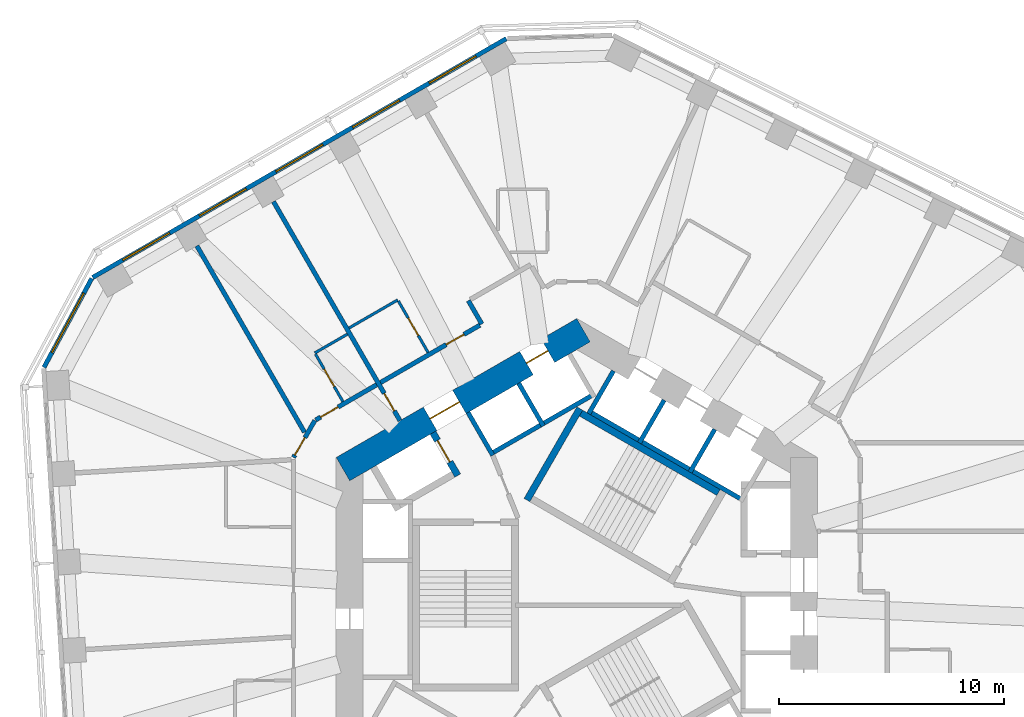
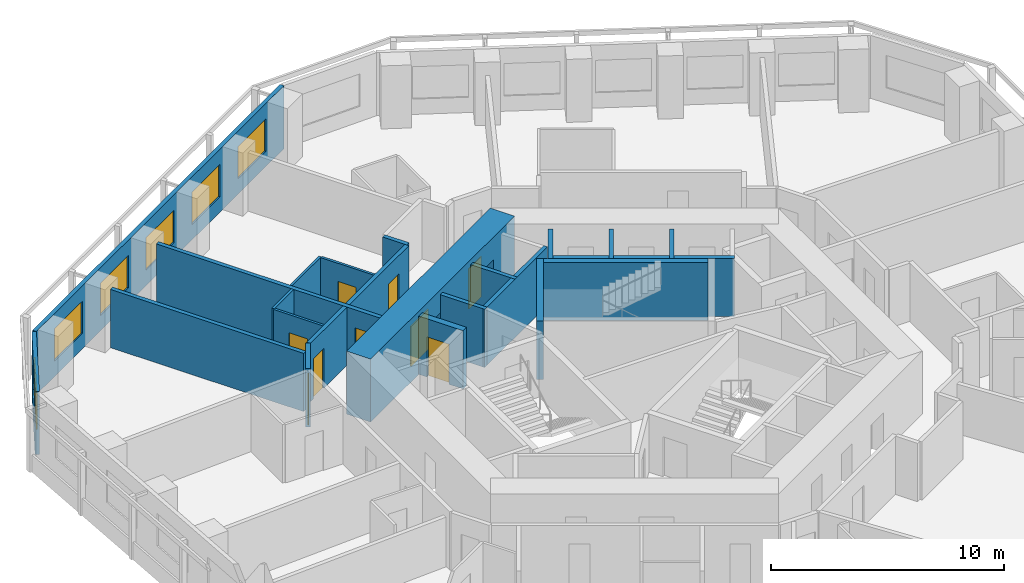
# One storey, part 7 of 11: 23 walls, 9 doors, 6 windows, 15 openings.
"""IFC4 building model written with IfcOpenShell, lengths in metres."""

from ifc_helpers import new_model, si_unit, direction, frame, frame_2d, origin, place, context, subcontext, project, spatial, rectangle, extrude, material, layer, layer_set, type_object, element, fill, save


model = new_model("IFC4")

# Units and contexts
model_context = context("Model", 3, precision=1e-05, world=origin(), true_north=direction((0.0, 1.0)))
body_context = subcontext(model_context, "Body", "Model", "MODEL_VIEW")
ifc_project = project(units=[si_unit("LENGTHUNIT", "METRE"), si_unit("AREAUNIT", "SQUARE_METRE"), si_unit("VOLUMEUNIT", "CUBIC_METRE"), si_unit("PLANEANGLEUNIT", "RADIAN"), si_unit("MASSUNIT", "GRAM", prefix="KILO")], contexts=[model_context])

# Site, building, storey
site_placement = place(None, origin())
site = spatial("IfcSite", under=ifc_project, at=site_placement, CompositionType="ELEMENT")
building_placement = place(site_placement, origin())
building = spatial("IfcBuilding", under=site, at=building_placement, Name="Vanh Sen Convention Tower", CompositionType="ELEMENT")
storey_placement = place(building_placement, frame((0.0, 0.0, 96.800048828125)))
storey = spatial("IfcBuildingStorey", under=building, at=storey_placement, Name="L22", CompositionType="ELEMENT", Elevation=96.800048828125)

# Wall
ifc_material_1 = material(Name="Moisture-resistant gypsum board on steel studs", Category="steel")
ifc_layer_1 = layer(ifc_material_1, 0.1201171875)
ifc_layer_set_1 = layer_set([ifc_layer_1], Name="Moisture-resistant gypsum board on steel studs")
wall_type_1 = type_object("IfcWallType", Name="Bathroom partition 120", PredefinedType="PARTITIONING", material=ifc_layer_set_1)
wall_1_placement = place(storey_placement, frame((-11.65087890625, 10.82470703125, 0.0), z_axis=(0.0, 0.0, 1.0), x_axis=(0.865998477143, 0.500046635412, 0.0)))
element("IfcWall", 1, at=wall_1_placement, inside=storey, type_object=wall_type_1, Name="Bathroom partition 120", PredefinedType="PARTITIONING", context=body_context, shape_type="SweptSolid", body=[
    extrude(rectangle(XDim=1.673095703125, YDim=0.1201171875, at=frame_2d((0.83642578125, 0.0))), origin(), (0.0, 0.0, 1.0), 3.050048828125),
])

# Wall, opening, door
wall_2_placement = place(storey_placement, frame((-10.40087890625, 8.65966796875, 0.0), z_axis=(0.0, 0.0, 1.0), x_axis=(-0.500077547548, 0.865980627057, 0.0)))
wall_2 = element("IfcWall", 2, at=wall_2_placement, inside=storey, type_object=wall_type_1, Name="Bathroom partition 120", PredefinedType="PARTITIONING", context=body_context, shape_type="SweptSolid", body=[
    extrude(rectangle(XDim=2.43994140625, YDim=0.1201171875, at=frame_2d((1.219970703125, 0.0))), origin(), (0.0, 0.0, 1.0), 3.050048828125),
])
opening_1_placement = place(wall_2_placement, frame((0.77001953125, 0.0, 0.0)))
opening_1 = element("IfcOpeningElement", 3, at=opening_1_placement, cuts=wall_2, Name="Opening D22112", PredefinedType="OPENING", context=body_context, shape_type="SweptSolid", body=[
    extrude(rectangle(XDim=0.89990234375, YDim=2.10009765625, at=frame_2d((0.449951171875, 1.050048828125))), frame((0.0, 0.070068359375, 0.0), z_axis=(0.0, -1.0, 0.0), x_axis=(1.0, 0.0, 0.0)), (0.0, 0.0, 1.0), 0.14013671875),
])
ifc_material_2 = material(Name="Laminate door in steel frame", Category="steel")
door_type_1 = type_object("IfcDoorType", Name="En-suite door 900", OperationType="SINGLE_SWING_LEFT", PredefinedType="DOOR", material=ifc_material_2)
door_1_placement = place(opening_1_placement, origin())
door_1 = element("IfcDoor", 4, at=door_1_placement, inside=storey, type_object=door_type_1, Name="En-suite door D22112", OperationType="SINGLE_SWING_LEFT", OverallHeight=2.10009765625, OverallWidth=0.89990234375, PredefinedType="DOOR", context=body_context, shape_type="SweptSolid", body=[
    extrude(rectangle(XDim=0.89990234375, YDim=2.10009765625, at=frame_2d((0.449951171875, 1.050048828125))), frame((0.0, 0.02490234375, 0.0), z_axis=(0.0, -1.0, 0.0), x_axis=(1.0, 0.0, 0.0)), (0.0, 0.0, 1.0), 0.050048828125),
])
fill(opening_1, door_1)

# Wall
wall_3_placement = place(storey_placement, frame((-10.12890625, 11.9345703125, 0.0), z_axis=(0.0, 0.0, 1.0), x_axis=(0.866047370643, 0.499961950354, 0.0)))
element("IfcWall", 5, at=wall_3_placement, inside=storey, type_object=wall_type_1, Name="Bathroom partition 120", PredefinedType="PARTITIONING", context=body_context, shape_type="SweptSolid", body=[
    extrude(rectangle(XDim=2.500244140625, YDim=0.1201171875, at=frame_2d((1.25, 0.0))), origin(), (0.0, 0.0, 1.0), 3.050048828125),
])

# Wall, opening, door
wall_4_placement = place(storey_placement, frame((-7.93359375, 13.132568359375, 0.0), z_axis=(0.0, 0.0, 1.0), x_axis=(0.499938597367, -0.866060851709, 0.0)))
wall_4 = element("IfcWall", 6, at=wall_4_placement, inside=storey, type_object=wall_type_1, Name="Bathroom partition 120", PredefinedType="PARTITIONING", context=body_context, shape_type="SweptSolid", body=[
    extrude(rectangle(XDim=2.639892578125, YDim=0.1201171875, at=frame_2d((1.31982421875, 0.0))), origin(), (0.0, 0.0, 1.0), 3.050048828125),
])
opening_2_placement = place(wall_4_placement, frame((0.8701171875, 0.0, 0.0)))
opening_2 = element("IfcOpeningElement", 7, at=opening_2_placement, cuts=wall_4, Name="Opening D22110", PredefinedType="OPENING", context=body_context, shape_type="SweptSolid", body=[
    extrude(rectangle(XDim=0.89990234375, YDim=2.10009765625, at=frame_2d((0.449951171875, 1.050048828125))), frame((0.0, 0.070068359375, 0.0), z_axis=(0.0, -1.0, 0.0), x_axis=(1.0, 0.0, 0.0)), (0.0, 0.0, 1.0), 0.14013671875),
])
door_2_placement = place(opening_2_placement, origin())
door_2 = element("IfcDoor", 8, at=door_2_placement, inside=storey, type_object=door_type_1, Name="En-suite door D22110", OperationType="SINGLE_SWING_LEFT", OverallHeight=2.10009765625, OverallWidth=0.89990234375, PredefinedType="DOOR", context=body_context, shape_type="SweptSolid", body=[
    extrude(rectangle(XDim=0.89990234375, YDim=2.10009765625, at=frame_2d((0.449951171875, 1.050048828125))), frame((0.0, 0.02490234375, 0.0), z_axis=(0.0, -1.0, 0.0), x_axis=(1.0, 0.0, 0.0)), (0.0, 0.0, 1.0), 0.050048828125),
])
fill(opening_2, door_2)

# Wall, openings, doors
ifc_material_3 = material(Name="Concrete C80/95", Category="concrete")
ifc_layer_2 = layer(ifc_material_3, 1.199951171875)
ifc_layer_set_2 = layer_set([ifc_layer_2], Name="Concrete C80/95")
wall_type_2 = type_object("IfcWallType", Name="Core outer wall 1200 C80/95", PredefinedType="SHEAR", material=ifc_layer_set_2)
wall_5_placement = place(storey_placement, frame((0.300048828125, 11.835693359375, 0.0), z_axis=(0.0, 0.0, 1.0), x_axis=(-0.866021384402, -0.500006961711, 0.0)))
wall_5 = element("IfcWall", 9, at=wall_5_placement, inside=storey, type_object=wall_type_2, Name="Core wall face NW L22", PredefinedType="SHEAR", context=body_context, shape_type="SweptSolid", body=[
    extrude(rectangle(XDim=12.355224609375, YDim=1.199951171875, at=frame_2d((6.177734375, 0.0))), origin(), (0.0, 0.0, 1.0), 3.300048828125),
])
opening_3_placement = place(wall_5_placement, frame((6.377685546875, 0.0, 0.0)))
opening_3 = element("IfcOpeningElement", 10, at=opening_3_placement, cuts=wall_5, Name="Opening D22002", PredefinedType="OPENING", context=body_context, shape_type="SweptSolid", body=[
    extrude(rectangle(XDim=1.5, YDim=2.10009765625, at=frame_2d((0.75, 1.050048828125))), frame((0.0, 0.60986328125, 0.0), z_axis=(0.0, -1.0, 0.0), x_axis=(1.0, 0.0, 0.0)), (0.0, 0.0, 1.0), 1.219970703125),
])
opening_4_placement = place(wall_5_placement, frame((1.82763671875, 0.0, 0.0)))
opening_4 = element("IfcOpeningElement", 11, at=opening_4_placement, cuts=wall_5, Name="Opening LD-LR6", PredefinedType="OPENING", context=body_context, shape_type="SweptSolid", body=[
    extrude(rectangle(XDim=1.10009765625, YDim=2.10009765625, at=frame_2d((0.550048828125, 1.050048828125))), frame((0.0, 0.60986328125, 0.0), z_axis=(0.0, -1.0, 0.0), x_axis=(1.0, 0.0, 0.0)), (0.0, 0.0, 1.0), 1.219970703125),
])
ifc_material_4 = material(Name="Stainless steel", Category="steel")
door_type_2 = type_object("IfcDoorType", Name="Lift landing door 1100", OperationType="DOUBLE_DOOR_SLIDING", PredefinedType="DOOR", material=ifc_material_4)
door_3_placement = place(opening_4_placement, origin())
door_3 = element("IfcDoor", 12, at=door_3_placement, inside=storey, type_object=door_type_2, Name="Lift LR6 landing door LD-LR6", OperationType="DOUBLE_DOOR_SLIDING", OverallHeight=2.10009765625, OverallWidth=1.10009765625, PredefinedType="DOOR", context=body_context, shape_type="SweptSolid", body=[
    extrude(rectangle(XDim=1.10009765625, YDim=2.10009765625, at=frame_2d((0.550048828125, 1.050048828125))), frame((0.0, 0.02490234375, 0.0), z_axis=(0.0, -1.0, 0.0), x_axis=(1.0, 0.0, 0.0)), (0.0, 0.0, 1.0), 0.050048828125),
])
fill(opening_4, door_3)
ifc_material_5 = material(Name="Steel S355", Category="steel")
door_type_3 = type_object("IfcDoorType", Name="Stair lobby door 1500", OperationType="DOUBLE_DOOR_SINGLE_SWING", PredefinedType="DOOR", material=ifc_material_5)
door_4_placement = place(opening_3_placement, origin())
door_4 = element("IfcDoor", 13, at=door_4_placement, inside=storey, type_object=door_type_3, Name="Stair lobby door D22002", OperationType="DOUBLE_DOOR_SINGLE_SWING", OverallHeight=2.10009765625, OverallWidth=1.5, PredefinedType="DOOR", context=body_context, shape_type="SweptSolid", body=[
    extrude(rectangle(XDim=1.5, YDim=2.10009765625, at=frame_2d((0.75, 1.050048828125))), frame((0.0, 0.02490234375, 0.0), z_axis=(0.0, -1.0, 0.0), x_axis=(1.0, 0.0, 0.0)), (0.0, 0.0, 1.0), 0.050048828125),
])
fill(opening_3, door_4)

# Wall, opening, door
ifc_material_6 = material(Name="Gypsum board on steel studs with mineral wool", Category="steel")
ifc_layer_3 = layer(ifc_material_6, 0.199951171875)
ifc_layer_set_3 = layer_set([ifc_layer_3], Name="Gypsum board on steel studs with mineral wool")
wall_type_3 = type_object("IfcWallType", Name="Corridor partition wall 200", PredefinedType="PARTITIONING", material=ifc_layer_set_3)
wall_6_placement = place(storey_placement, frame((-11.64990234375, 7.822998046875, 0.0), z_axis=(0.0, 0.0, 1.0), x_axis=(-0.500063520245, -0.865988727248, 0.0)))
wall_6 = element("IfcWall", 14, at=wall_6_placement, inside=storey, type_object=wall_type_3, Name="Corridor partition wall 200", PredefinedType="PARTITIONING", context=body_context, shape_type="SweptSolid", body=[
    extrude(rectangle(XDim=1.900146484375, YDim=0.199951171875, at=frame_2d((0.9501953125, 0.0))), origin(), (0.0, 0.0, 1.0), 3.050048828125),
])
opening_5_placement = place(wall_6_placement, frame((0.8818359375, 0.0, 0.0)))
opening_5 = element("IfcOpeningElement", 15, at=opening_5_placement, cuts=wall_6, Name="Opening D22113", PredefinedType="OPENING", context=body_context, shape_type="SweptSolid", body=[
    extrude(rectangle(XDim=0.89990234375, YDim=2.10009765625, at=frame_2d((0.449951171875, 1.050048828125))), frame((0.0, 0.10986328125, 0.0), z_axis=(0.0, -1.0, 0.0), x_axis=(1.0, 0.0, 0.0)), (0.0, 0.0, 1.0), 0.219970703125),
])
ifc_material_7 = material(Name="Timber fire door in steel frame", Category="steel")
door_type_4 = type_object("IfcDoorType", Name="Floor room door 900", OperationType="SINGLE_SWING_LEFT", PredefinedType="DOOR", material=ifc_material_7)
door_5_placement = place(opening_5_placement, origin())
door_5 = element("IfcDoor", 16, at=door_5_placement, inside=storey, type_object=door_type_4, Name="Meeting and amenity room door D22113", OperationType="SINGLE_SWING_LEFT", OverallHeight=2.10009765625, OverallWidth=0.89990234375, PredefinedType="DOOR", context=body_context, shape_type="SweptSolid", body=[
    extrude(rectangle(XDim=0.89990234375, YDim=2.10009765625, at=frame_2d((0.449951171875, 1.050048828125))), frame((0.0, 0.02490234375, 0.0), z_axis=(0.0, -1.0, 0.0), x_axis=(1.0, 0.0, 0.0)), (0.0, 0.0, 1.0), 0.050048828125),
])
fill(opening_5, door_5)

wall_7_placement = place(storey_placement, frame((-8.902099609375, 9.40966796875, 0.0), z_axis=(0.0, 0.0, 1.0), x_axis=(-0.866014299198, -0.500019233215, 0.0)))
wall_7 = element("IfcWall", 17, at=wall_7_placement, inside=storey, type_object=wall_type_3, Name="Corridor partition wall 200", PredefinedType="PARTITIONING", context=body_context, shape_type="SweptSolid", body=[
    extrude(rectangle(XDim=3.13330078125, YDim=0.199951171875, at=frame_2d((1.566650390625, 0.0))), origin(), (0.0, 0.0, 1.0), 3.050048828125),
])
opening_6_placement = place(wall_7_placement, frame((1.97802734375, 0.0, 0.0)))
opening_6 = element("IfcOpeningElement", 18, at=opening_6_placement, cuts=wall_7, Name="Opening D22111", PredefinedType="OPENING", context=body_context, shape_type="SweptSolid", body=[
    extrude(rectangle(XDim=0.89990234375, YDim=2.10009765625, at=frame_2d((0.449951171875, 1.050048828125))), frame((0.0, 0.10986328125, 0.0), z_axis=(0.0, -1.0, 0.0), x_axis=(1.0, 0.0, 0.0)), (0.0, 0.0, 1.0), 0.219970703125),
])
door_type_5 = type_object("IfcDoorType", Name="Guest room door 900", OperationType="SINGLE_SWING_LEFT", PredefinedType="DOOR", material=ifc_material_7)
door_6_placement = place(opening_6_placement, origin())
door_6 = element("IfcDoor", 19, at=door_6_placement, inside=storey, type_object=door_type_5, Name="Hotel guest room door D22111", OperationType="SINGLE_SWING_LEFT", OverallHeight=2.10009765625, OverallWidth=0.89990234375, PredefinedType="DOOR", context=body_context, shape_type="SweptSolid", body=[
    extrude(rectangle(XDim=0.89990234375, YDim=2.10009765625, at=frame_2d((0.449951171875, 1.050048828125))), frame((0.0, 0.02490234375, 0.0), z_axis=(0.0, -1.0, 0.0), x_axis=(1.0, 0.0, 0.0)), (0.0, 0.0, 1.0), 0.050048828125),
])
fill(opening_6, door_6)

# Wall
wall_8_placement = place(storey_placement, frame((-4.822998046875, 13.151611328125, 0.0), z_axis=(0.0, 0.0, 1.0), x_axis=(0.499986357472, -0.866033280158, 0.0)))
element("IfcWall", 20, at=wall_8_placement, inside=storey, type_object=wall_type_3, Name="Corridor partition wall 200", PredefinedType="PARTITIONING", context=body_context, shape_type="SweptSolid", body=[
    extrude(rectangle(XDim=1.201171875, YDim=0.199951171875, at=frame_2d((0.6005859375, 0.0))), origin(), (0.0, 0.0, 1.0), 3.050048828125),
])

# Wall, opening, door
wall_9_placement = place(storey_placement, frame((-4.30908203125, 12.061279296875, 0.0), z_axis=(0.0, 0.0, 1.0), x_axis=(-0.866020679205, -0.500008183122, 0.0)))
wall_9 = element("IfcWall", 21, at=wall_9_placement, inside=storey, type_object=wall_type_3, Name="Corridor partition wall 200", PredefinedType="PARTITIONING", context=body_context, shape_type="SweptSolid", body=[
    extrude(rectangle(XDim=5.103515625, YDim=0.199951171875, at=frame_2d((2.5517578125, 0.0))), origin(), (0.0, 0.0, 1.0), 3.050048828125),
])
opening_7_placement = place(wall_9_placement, frame((0.826904296875, 0.0, 0.0)))
opening_7 = element("IfcOpeningElement", 22, at=opening_7_placement, cuts=wall_9, Name="Opening D22109", PredefinedType="OPENING", context=body_context, shape_type="SweptSolid", body=[
    extrude(rectangle(XDim=0.89990234375, YDim=2.10009765625, at=frame_2d((0.449951171875, 1.050048828125))), frame((0.0, 0.10986328125, 0.0), z_axis=(0.0, -1.0, 0.0), x_axis=(1.0, 0.0, 0.0)), (0.0, 0.0, 1.0), 0.219970703125),
])
door_7_placement = place(opening_7_placement, origin())
door_7 = element("IfcDoor", 23, at=door_7_placement, inside=storey, type_object=door_type_5, Name="Hotel guest room door D22109", OperationType="SINGLE_SWING_LEFT", OverallHeight=2.10009765625, OverallWidth=0.89990234375, PredefinedType="DOOR", context=body_context, shape_type="SweptSolid", body=[
    extrude(rectangle(XDim=0.89990234375, YDim=2.10009765625, at=frame_2d((0.449951171875, 1.050048828125))), frame((0.0, 0.02490234375, 0.0), z_axis=(0.0, -1.0, 0.0), x_axis=(1.0, 0.0, 0.0)), (0.0, 0.0, 1.0), 0.050048828125),
])
fill(opening_7, door_7)

# Wall, openings, windows
ifc_material_8 = material(Name="Insulated lightweight infill wall")
ifc_layer_4 = layer(ifc_material_8, 0.199951171875)
ifc_layer_set_4 = layer_set([ifc_layer_4], Name="Insulated lightweight infill wall")
wall_type_4 = type_object("IfcWallType", Name="External wall 200", PredefinedType="STANDARD", material=ifc_layer_set_4)
wall_10_placement = place(storey_placement, frame((-3.135986328125, 24.80517578125, 0.0), z_axis=(0.0, 0.0, 1.0), x_axis=(-0.866028291626, -0.499994998079, 0.0)))
wall_10 = element("IfcWall", 24, at=wall_10_placement, inside=storey, type_object=wall_type_4, Name="External wall NW L22", PredefinedType="STANDARD", context=body_context, shape_type="SweptSolid", body=[
    extrude(rectangle(XDim=21.246337890625, YDim=0.199951171875, at=frame_2d((10.623046875, 0.0))), origin(), (0.0, 0.0, 1.0), 3.300048828125),
])
opening_8_placement = place(wall_10_placement, frame((1.5546875, 0.0, 0.800048828125)))
opening_8 = element("IfcOpeningElement", 25, at=opening_8_placement, cuts=wall_10, Name="Opening WH1-NW1", PredefinedType="OPENING", context=body_context, shape_type="SweptSolid", body=[
    extrude(rectangle(XDim=2.39990234375, YDim=1.699951171875, at=frame_2d((1.199951171875, 0.85009765625))), frame((0.0, 0.10986328125, 0.0), z_axis=(0.0, -1.0, 0.0), x_axis=(1.0, 0.0, 0.0)), (0.0, 0.0, 1.0), 0.219970703125),
])
opening_9_placement = place(wall_10_placement, frame((5.4892578125, 0.0, 0.800048828125)))
opening_9 = element("IfcOpeningElement", 26, at=opening_9_placement, cuts=wall_10, Name="Opening WH1-NW2", PredefinedType="OPENING", context=body_context, shape_type="SweptSolid", body=[
    extrude(rectangle(XDim=2.39990234375, YDim=1.699951171875, at=frame_2d((1.199951171875, 0.85009765625))), frame((0.0, 0.10986328125, 0.0), z_axis=(0.0, -1.0, 0.0), x_axis=(1.0, 0.0, 0.0)), (0.0, 0.0, 1.0), 0.219970703125),
])
opening_10_placement = place(wall_10_placement, frame((9.423828125, 0.0, 0.800048828125)))
opening_10 = element("IfcOpeningElement", 27, at=opening_10_placement, cuts=wall_10, Name="Opening WH1-NW3", PredefinedType="OPENING", context=body_context, shape_type="SweptSolid", body=[
    extrude(rectangle(XDim=2.39990234375, YDim=1.699951171875, at=frame_2d((1.199951171875, 0.85009765625))), frame((0.0, 0.10986328125, 0.0), z_axis=(0.0, -1.0, 0.0), x_axis=(1.0, 0.0, 0.0)), (0.0, 0.0, 1.0), 0.219970703125),
])
opening_11_placement = place(wall_10_placement, frame((13.3583984375, 0.0, 0.800048828125)))
opening_11 = element("IfcOpeningElement", 28, at=opening_11_placement, cuts=wall_10, Name="Opening WH1-NW4", PredefinedType="OPENING", context=body_context, shape_type="SweptSolid", body=[
    extrude(rectangle(XDim=2.39990234375, YDim=1.699951171875, at=frame_2d((1.199951171875, 0.85009765625))), frame((0.0, 0.10986328125, 0.0), z_axis=(0.0, -1.0, 0.0), x_axis=(1.0, 0.0, 0.0)), (0.0, 0.0, 1.0), 0.219970703125),
])
opening_12_placement = place(wall_10_placement, frame((17.293212890625, 0.0, 0.800048828125)))
opening_12 = element("IfcOpeningElement", 29, at=opening_12_placement, cuts=wall_10, Name="Opening WH1-NW5", PredefinedType="OPENING", context=body_context, shape_type="SweptSolid", body=[
    extrude(rectangle(XDim=2.39990234375, YDim=1.699951171875, at=frame_2d((1.199951171875, 0.85009765625))), frame((0.0, 0.10986328125, 0.0), z_axis=(0.0, -1.0, 0.0), x_axis=(1.0, 0.0, 0.0)), (0.0, 0.0, 1.0), 0.219970703125),
])
ifc_material_9 = material(Name="Aluminium frame with clear low-emissivity glass", Category="aluminium")
window_type_1 = type_object("IfcWindowType", Name="Hotel window 2400 x 1700", PartitioningType="SINGLE_PANEL", PredefinedType="WINDOW", material=ifc_material_9)
window_1_placement = place(opening_8_placement, origin())
window_1 = element("IfcWindow", 30, at=window_1_placement, inside=storey, type_object=window_type_1, Name="Window WH1-NW1", OverallHeight=1.699951171875, OverallWidth=2.39990234375, PartitioningType="SINGLE_PANEL", PredefinedType="WINDOW", context=body_context, shape_type="SweptSolid", body=[
    extrude(rectangle(XDim=2.39990234375, YDim=1.699951171875, at=frame_2d((1.199951171875, 0.85009765625))), frame((0.0, 0.030029296875, 0.0), z_axis=(0.0, -1.0, 0.0), x_axis=(1.0, 0.0, 0.0)), (0.0, 0.0, 1.0), 0.06005859375),
])
fill(opening_8, window_1)
window_2_placement = place(opening_9_placement, origin())
window_2 = element("IfcWindow", 31, at=window_2_placement, inside=storey, type_object=window_type_1, Name="Window WH1-NW2", OverallHeight=1.699951171875, OverallWidth=2.39990234375, PartitioningType="SINGLE_PANEL", PredefinedType="WINDOW", context=body_context, shape_type="SweptSolid", body=[
    extrude(rectangle(XDim=2.39990234375, YDim=1.699951171875, at=frame_2d((1.199951171875, 0.85009765625))), frame((0.0, 0.030029296875, 0.0), z_axis=(0.0, -1.0, 0.0), x_axis=(1.0, 0.0, 0.0)), (0.0, 0.0, 1.0), 0.06005859375),
])
fill(opening_9, window_2)
window_3_placement = place(opening_10_placement, origin())
window_3 = element("IfcWindow", 32, at=window_3_placement, inside=storey, type_object=window_type_1, Name="Window WH1-NW3", OverallHeight=1.699951171875, OverallWidth=2.39990234375, PartitioningType="SINGLE_PANEL", PredefinedType="WINDOW", context=body_context, shape_type="SweptSolid", body=[
    extrude(rectangle(XDim=2.39990234375, YDim=1.699951171875, at=frame_2d((1.199951171875, 0.85009765625))), frame((0.0, 0.030029296875, 0.0), z_axis=(0.0, -1.0, 0.0), x_axis=(1.0, 0.0, 0.0)), (0.0, 0.0, 1.0), 0.06005859375),
])
fill(opening_10, window_3)
window_4_placement = place(opening_11_placement, origin())
window_4 = element("IfcWindow", 33, at=window_4_placement, inside=storey, type_object=window_type_1, Name="Window WH1-NW4", OverallHeight=1.699951171875, OverallWidth=2.39990234375, PartitioningType="SINGLE_PANEL", PredefinedType="WINDOW", context=body_context, shape_type="SweptSolid", body=[
    extrude(rectangle(XDim=2.39990234375, YDim=1.699951171875, at=frame_2d((1.199951171875, 0.85009765625))), frame((0.0, 0.030029296875, 0.0), z_axis=(0.0, -1.0, 0.0), x_axis=(1.0, 0.0, 0.0)), (0.0, 0.0, 1.0), 0.06005859375),
])
fill(opening_11, window_4)
window_5_placement = place(opening_12_placement, origin())
window_5 = element("IfcWindow", 34, at=window_5_placement, inside=storey, type_object=window_type_1, Name="Window WH1-NW5", OverallHeight=1.699951171875, OverallWidth=2.39990234375, PartitioningType="SINGLE_PANEL", PredefinedType="WINDOW", context=body_context, shape_type="SweptSolid", body=[
    extrude(rectangle(XDim=2.39990234375, YDim=1.699951171875, at=frame_2d((1.199951171875, 0.85009765625))), frame((0.0, 0.030029296875, 0.0), z_axis=(0.0, -1.0, 0.0), x_axis=(1.0, 0.0, 0.0)), (0.0, 0.0, 1.0), 0.06005859375),
])
fill(opening_12, window_5)

# Wall, opening, window
wall_11_placement = place(storey_placement, frame((-21.573974609375, 14.142822265625, 0.0), z_axis=(0.0, 0.0, 1.0), x_axis=(-0.473292949472, -0.880905093628, 0.0)))
wall_11 = element("IfcWall", 35, at=wall_11_placement, inside=storey, type_object=wall_type_4, Name="External wall CH3 L22", PredefinedType="STANDARD", context=body_context, shape_type="SweptSolid", body=[
    extrude(rectangle(XDim=4.493896484375, YDim=0.199951171875, at=frame_2d((2.2470703125, 0.0))), origin(), (0.0, 0.0, 1.0), 3.300048828125),
])
opening_13_placement = place(wall_11_placement, frame((0.746826171875, 0.0, 0.800048828125)))
opening_13 = element("IfcOpeningElement", 36, at=opening_13_placement, cuts=wall_11, Name="Opening WH2-CH31", PredefinedType="OPENING", context=body_context, shape_type="SweptSolid", body=[
    extrude(rectangle(XDim=3.0, YDim=1.699951171875, at=frame_2d((1.5, 0.85009765625))), frame((0.0, 0.10986328125, 0.0), z_axis=(0.0, -1.0, 0.0), x_axis=(1.0, 0.0, 0.0)), (0.0, 0.0, 1.0), 0.219970703125),
])
window_type_2 = type_object("IfcWindowType", Name="Hotel window 3000 x 1700", PartitioningType="SINGLE_PANEL", PredefinedType="WINDOW", material=ifc_material_9)
window_6_placement = place(opening_13_placement, origin())
window_6 = element("IfcWindow", 37, at=window_6_placement, inside=storey, type_object=window_type_2, Name="Window WH2-CH31", OverallHeight=1.699951171875, OverallWidth=3.0, PartitioningType="SINGLE_PANEL", PredefinedType="WINDOW", context=body_context, shape_type="SweptSolid", body=[
    extrude(rectangle(XDim=3.0, YDim=1.699951171875, at=frame_2d((1.5, 0.85009765625))), frame((0.0, 0.030029296875, 0.0), z_axis=(0.0, -1.0, 0.0), x_axis=(1.0, 0.0, 0.0)), (0.0, 0.0, 1.0), 0.06005859375),
])
fill(opening_13, window_6)

# Wall, opening, door
ifc_material_10 = material(Name="Concrete C60/75", Category="concrete")
ifc_layer_5 = layer(ifc_material_10, 0.300048828125)
ifc_layer_set_5 = layer_set([ifc_layer_5], Name="Concrete C60/75")
wall_type_5 = type_object("IfcWallType", Name="Fire-fighting lift shaft wall 300", PredefinedType="SHEAR", material=ifc_layer_set_5)
wall_12_placement = place(storey_placement, frame((-5.29541015625, 5.3720703125, 0.0), z_axis=(0.0, 0.0, 1.0), x_axis=(-0.500077893725, 0.86598042715, 0.0)))
wall_12 = element("IfcWall", 38, at=wall_12_placement, inside=storey, type_object=wall_type_5, Name="Fire-fighting lift shaft wall L22", PredefinedType="SHEAR", context=body_context, shape_type="SweptSolid", body=[
    extrude(rectangle(XDim=2.199951171875, YDim=0.300048828125, at=frame_2d((1.10009765625, 0.0))), origin(), (0.0, 0.0, 1.0), 3.050048828125),
])
opening_14_placement = place(wall_12_placement, frame((0.699951171875, 0.0, 0.0)))
opening_14 = element("IfcOpeningElement", 39, at=opening_14_placement, cuts=wall_12, Name="Opening LD-FF2", PredefinedType="OPENING", context=body_context, shape_type="SweptSolid", body=[
    extrude(rectangle(XDim=1.10009765625, YDim=2.10009765625, at=frame_2d((0.550048828125, 1.050048828125))), frame((0.0, 0.159912109375, 0.0), z_axis=(0.0, -1.0, 0.0), x_axis=(1.0, 0.0, 0.0)), (0.0, 0.0, 1.0), 0.320068359375),
])
door_type_6 = type_object("IfcDoorType", Name="Fire-fighting lift landing door 1100", OperationType="DOUBLE_DOOR_SLIDING", PredefinedType="DOOR", material=ifc_material_4)
door_8_placement = place(opening_14_placement, origin())
door_8 = element("IfcDoor", 40, at=door_8_placement, inside=storey, type_object=door_type_6, Name="Lift FF2 landing door LD-FF2", OperationType="DOUBLE_DOOR_SLIDING", OverallHeight=2.10009765625, OverallWidth=1.10009765625, PredefinedType="DOOR", context=body_context, shape_type="SweptSolid", body=[
    extrude(rectangle(XDim=1.10009765625, YDim=2.10009765625, at=frame_2d((0.550048828125, 1.050048828125))), frame((0.0, 0.02490234375, 0.0), z_axis=(0.0, -1.0, 0.0), x_axis=(1.0, 0.0, 0.0)), (0.0, 0.0, 1.0), 0.050048828125),
])
fill(opening_14, door_8)

# Walls
ifc_layer_6 = layer(ifc_material_6, 0.199951171875)
ifc_layer_set_6 = layer_set([ifc_layer_6], Name="Gypsum board on steel studs with mineral wool")
wall_type_6 = type_object("IfcWallType", Name="Hotel party wall 200", PredefinedType="PARTITIONING", material=ifc_layer_set_6)
wall_13_placement = place(storey_placement, frame((-16.89794921875, 15.589599609375, 0.0), z_axis=(0.0, 0.0, 1.0), x_axis=(0.500023458698, -0.866011859475, 0.0)))
element("IfcWall", 41, at=wall_13_placement, inside=storey, type_object=wall_type_6, Name="Hotel party wall 200", PredefinedType="PARTITIONING", context=body_context, shape_type="SweptSolid", body=[
    extrude(rectangle(XDim=9.57177734375, YDim=0.199951171875, at=frame_2d((4.785888671875, 0.0))), origin(), (0.0, 0.0, 1.0), 3.050048828125),
])
ifc_material_11 = material(Name="Concrete C40/50", Category="concrete")
ifc_layer_7 = layer(ifc_material_11, 0.199951171875)
ifc_layer_set_7 = layer_set([ifc_layer_7], Name="Concrete C40/50")
wall_type_7 = type_object("IfcWallType", Name="Lift shaft wall 200", PredefinedType="PARTITIONING", material=ifc_layer_set_7)
wall_14_placement = place(storey_placement, frame((7.423828125, 4.258544921875, 0.0), z_axis=(0.0, 0.0, 1.0), x_axis=(-0.866026010844, 0.49999894854, 0.0)))
element("IfcWall", 42, at=wall_14_placement, inside=storey, type_object=wall_type_7, Name="Lift shaft wall L22", PredefinedType="PARTITIONING", context=body_context, shape_type="SweptSolid", body=[
    extrude(rectangle(XDim=8.0, YDim=0.199951171875, at=frame_2d((4.0, 0.0))), origin(), (0.0, 0.0, 1.0), 3.050048828125),
])
for number, where, z_axis, x_axis, name in (
    (43, (5.03564453125, 5.52197265625, 0.0), (0.0, 0.0, 1.0), (0.499946605688, 0.86605622881, 0.0), "Lift shaft wall L22"),
    (44, (2.783935546875, 6.822021484375, 0.0), (0.0, 0.0, 1.0), (0.50002983664, 0.866008176907, 0.0), "Lift shaft wall L22"),
    (45, (0.5322265625, 8.1220703125, 0.0), (0.0, 0.0, 1.0), (0.500077893725, 0.86598042715, 0.0), "Lift shaft wall L22"),
):
    element("IfcWall", number, at=place(storey_placement, frame(where, z_axis=z_axis, x_axis=x_axis)), inside=storey, type_object=wall_type_7, Name=name, PredefinedType="PARTITIONING", context=body_context, shape_type="SweptSolid", body=[
        extrude(rectangle(XDim=2.199951171875, YDim=0.199951171875, at=frame_2d((1.10009765625, 0.0))), origin(), (0.0, 0.0, 1.0), 3.050048828125),
    ])
wall_15_placement = place(storey_placement, frame((0.80322265625, 9.008544921875, 0.0), z_axis=(0.0, 0.0, 1.0), x_axis=(-0.866028230842, -0.499995103361, 0.0)))
element("IfcWall", 46, at=wall_15_placement, inside=storey, type_object=wall_type_7, Name="Lift shaft wall L22", PredefinedType="PARTITIONING", context=body_context, shape_type="SweptSolid", body=[
    extrude(rectangle(XDim=5.39990234375, YDim=0.199951171875, at=frame_2d((2.699951171875, 0.0))), origin(), (0.0, 0.0, 1.0), 3.050048828125),
])
for number, where, z_axis, x_axis, name in (
    (47, (-1.48486328125, 7.572021484375, 0.0), (0.0, 0.0, 1.0), (-0.50002983664, 0.866008176907, 0.0), "Lift shaft wall L22"),
    (48, (-3.736572265625, 6.27197265625, 0.0), (0.0, 0.0, 1.0), (-0.50002983664, 0.866008176907, 0.0), "Lift shaft wall L22"),
):
    element("IfcWall", number, at=place(storey_placement, frame(where, z_axis=z_axis, x_axis=x_axis)), inside=storey, type_object=wall_type_7, Name=name, PredefinedType="PARTITIONING", context=body_context, shape_type="SweptSolid", body=[
        extrude(rectangle(XDim=2.199951171875, YDim=0.199951171875, at=frame_2d((1.10009765625, 0.0))), origin(), (0.0, 0.0, 1.0), 3.050048828125),
    ])
ifc_layer_8 = layer(ifc_material_10, 0.300048828125)
ifc_layer_set_8 = layer_set([ifc_layer_8], Name="Concrete C60/75")
wall_type_8 = type_object("IfcWallType", Name="Stair wall 300", PredefinedType="SHEAR", material=ifc_layer_set_8)
wall_16_placement = place(storey_placement, frame((-2.216064453125, 4.28173828125, 0.0), z_axis=(0.0, 0.0, 1.0), x_axis=(0.499977259774, 0.866038532462, 0.0)))
element("IfcWall", 49, at=wall_16_placement, inside=storey, type_object=wall_type_8, Name="Stair wall L22", PredefinedType="SHEAR", context=body_context, shape_type="SweptSolid", body=[
    extrude(rectangle(XDim=4.699951171875, YDim=0.300048828125, at=frame_2d((2.35009765625, 0.0))), origin(), (0.0, 0.0, 1.0), 3.050048828125),
])
wall_17_placement = place(storey_placement, frame((6.302978515625, 4.6171875, 0.0), z_axis=(0.0, 0.0, 1.0), x_axis=(-0.866027801685, 0.499995846692, 0.0)))
element("IfcWall", 50, at=wall_17_placement, inside=storey, type_object=wall_type_8, Name="Stair wall L22", PredefinedType="SHEAR", context=body_context, shape_type="SweptSolid", body=[
    extrude(rectangle(XDim=7.06005859375, YDim=0.300048828125, at=frame_2d((3.530029296875, 0.0))), origin(), (0.0, 0.0, 1.0), 3.050048828125),
])

# Wall, opening, door
ifc_material_12 = material(Name="Concrete C20/25", Category="concrete")
ifc_layer_9 = layer(ifc_material_12, 0.199951171875)
ifc_layer_set_9 = layer_set([ifc_layer_9], Name="Concrete C20/25")
wall_type_9 = type_object("IfcWallType", Name="Sub-compartment wall 200", PredefinedType="PARTITIONING", material=ifc_layer_set_9)
wall_18_placement = place(storey_placement, frame((-7.865478515625, 7.814208984375, 0.0), z_axis=(0.0, 0.0, 1.0), x_axis=(-0.500004234368, 0.866022959057, 0.0)))
wall_18 = element("IfcWall", 51, at=wall_18_placement, inside=storey, type_object=wall_type_9, Name="Sub-compartment wall 200", PredefinedType="PARTITIONING", context=body_context, shape_type="SweptSolid", body=[
    extrude(rectangle(XDim=11.25, YDim=0.199951171875, at=frame_2d((5.625, 0.0))), origin(), (0.0, 0.0, 1.0), 3.050048828125),
])
opening_15_placement = place(wall_18_placement, frame((0.5, 0.0, 0.0)))
opening_15 = element("IfcOpeningElement", 52, at=opening_15_placement, cuts=wall_18, Name="Opening D22128", PredefinedType="OPENING", context=body_context, shape_type="SweptSolid", body=[
    extrude(rectangle(XDim=0.89990234375, YDim=2.10009765625, at=frame_2d((0.449951171875, 1.050048828125))), frame((0.0, 0.10986328125, 0.0), z_axis=(0.0, -1.0, 0.0), x_axis=(1.0, 0.0, 0.0)), (0.0, 0.0, 1.0), 0.219970703125),
])
ifc_material_13 = material(Name="Steel S355", Category="steel")
door_type_7 = type_object("IfcDoorType", Name="Corridor fire door 900", OperationType="SINGLE_SWING_LEFT", PredefinedType="DOOR", material=ifc_material_13)
door_9_placement = place(opening_15_placement, origin())
door_9 = element("IfcDoor", 53, at=door_9_placement, inside=storey, type_object=door_type_7, Name="Sub-compartment door D22128", OperationType="SINGLE_SWING_LEFT", OverallHeight=2.10009765625, OverallWidth=0.89990234375, PredefinedType="DOOR", context=body_context, shape_type="SweptSolid", body=[
    extrude(rectangle(XDim=0.89990234375, YDim=2.10009765625, at=frame_2d((0.449951171875, 1.050048828125))), frame((0.0, 0.02490234375, 0.0), z_axis=(0.0, -1.0, 0.0), x_axis=(1.0, 0.0, 0.0)), (0.0, 0.0, 1.0), 0.050048828125),
])
fill(opening_15, door_9)

save(model, "model.ifc")
